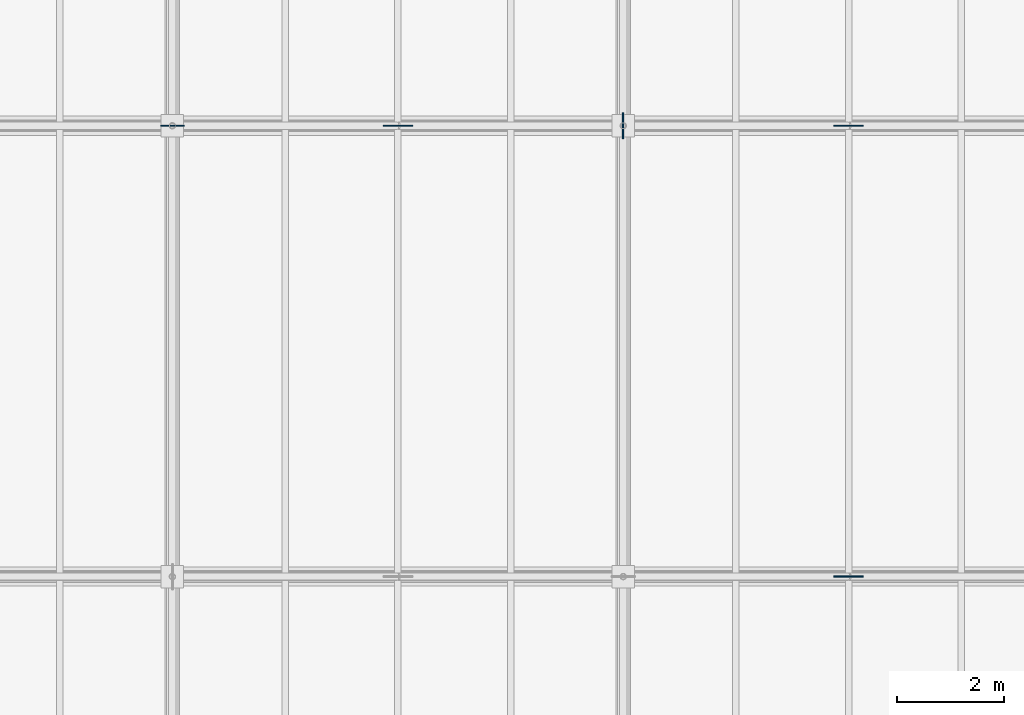
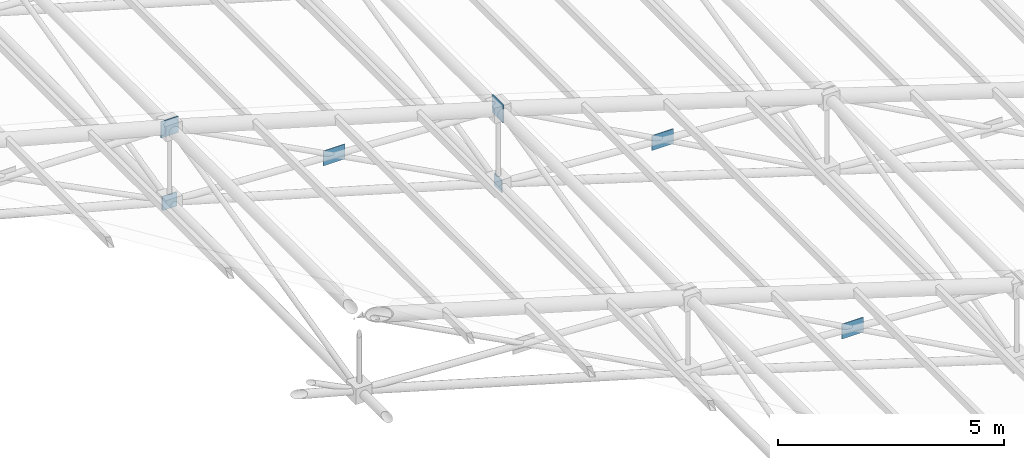
# One storey, part 121 of 144: 7 plates.
"""IFC4 building model written with IfcOpenShell, lengths in metres."""

from ifc_helpers import new_model, si_unit, direction, frame, origin, origin_2d, place, context, subcontext, project, spatial, rectangle, extrude, material, layer, layer_set, type_object, element, save


model = new_model("IFC4")

# Units and contexts
model_context = context("Model", 3, precision=1e-05, world=origin(), true_north=direction((0.0, 1.0)))
body_context = subcontext(model_context, "Body", "Model", "MODEL_VIEW")
ifc_project = project(units=[si_unit("LENGTHUNIT", "METRE"), si_unit("AREAUNIT", "SQUARE_METRE"), si_unit("VOLUMEUNIT", "CUBIC_METRE"), si_unit("PLANEANGLEUNIT", "RADIAN"), si_unit("MASSUNIT", "GRAM", prefix="KILO")], contexts=[model_context])

# Site, building, storey
site_placement = place(None, origin())
site = spatial("IfcSite", under=ifc_project, at=site_placement, CompositionType="ELEMENT")
building_placement = place(site_placement, origin())
building = spatial("IfcBuilding", under=site, at=building_placement, Name="Zayran Congress Hotel", CompositionType="ELEMENT")
storey_placement = place(building_placement, frame((0.0, 0.0, 19.199951171875)))
storey = spatial("IfcBuildingStorey", under=building, at=storey_placement, Name="L04", CompositionType="ELEMENT", Elevation=19.199951171875)

# Plates
ifc_material = material(Name="Steel S355", Category="steel")
ifc_layer_1 = layer(ifc_material, 0.02490234375)
ifc_layer_set_1 = layer_set([ifc_layer_1], Name="Steel S355")
plate_type_1 = type_object("IfcPlateType", Name="TP-SN-CP1", PredefinedType="USERDEFINED", material=ifc_layer_set_1)
plate_1_placement = place(storey_placement, frame((58.800048828125, 84.39990234375, 12.132080078125), z_axis=(0.0, 0.0, 1.0), x_axis=(1.0, 0.0, 0.0)))
element("IfcPlate", 1, at=plate_1_placement, inside=storey, type_object=plate_type_1, Name="Space Frame Node Cap Plate 45", ObjectType="GUSSET_PLATE", PredefinedType="USERDEFINED", context=body_context, shape_type="SweptSolid", body=[
    extrude(rectangle(XDim=0.43994140625, YDim=0.02490234375, at=origin_2d()), origin(), (0.0, 0.0, 1.0), 0.43994140625),
])
ifc_layer_2 = layer(ifc_material, 0.02490234375)
ifc_layer_set_2 = layer_set([ifc_layer_2], Name="Steel S355")
plate_type_2 = type_object("IfcPlateType", Name="TP-SN-CP2", PredefinedType="USERDEFINED", material=ifc_layer_set_2)
plate_2_placement = place(storey_placement, frame((58.800048828125, 84.39990234375, 10.16015625), z_axis=(0.0, 0.0, 1.0), x_axis=(1.0, 0.0, 0.0)))
element("IfcPlate", 2, at=plate_2_placement, inside=storey, type_object=plate_type_2, Name="Space Frame Node Cap Plate 122", ObjectType="GUSSET_PLATE", PredefinedType="USERDEFINED", context=body_context, shape_type="SweptSolid", body=[
    extrude(rectangle(XDim=0.3798828125, YDim=0.02490234375, at=origin_2d()), origin(), (0.0, 0.0, 1.0), 0.3798828125),
])
ifc_layer_3 = layer(ifc_material, 0.02001953125)
ifc_layer_set_3 = layer_set([ifc_layer_3], Name="Steel S355")
plate_type_3 = type_object("IfcPlateType", Name="TP-SN-CP3", PredefinedType="USERDEFINED", material=ifc_layer_set_3)
plate_3_placement = place(storey_placement, frame((67.199951171875, 84.39990234375, 7.72998046875), z_axis=(0.0, 0.0, 1.0), x_axis=(0.0, 1.0, 0.0)))
element("IfcPlate", 3, at=plate_3_placement, inside=storey, type_object=plate_type_3, Name="Space Frame Node Cap Plate 129", ObjectType="GUSSET_PLATE", PredefinedType="USERDEFINED", context=body_context, shape_type="SweptSolid", body=[
    extrude(rectangle(XDim=0.340087890625, YDim=0.02001953125, at=origin_2d()), origin(), (0.0, 0.0, 1.0), 0.340087890625),
])
ifc_layer_4 = layer(ifc_material, 0.028076171875)
ifc_layer_set_4 = layer_set([ifc_layer_4], Name="Steel S355")
plate_type_4 = type_object("IfcPlateType", Name="TP-SN-CP4", PredefinedType="USERDEFINED", material=ifc_layer_set_4)
plate_4_placement = place(storey_placement, frame((67.199951171875, 84.39990234375, 9.662109375), z_axis=(0.0, 0.0, 1.0), x_axis=(0.0, 1.0, 0.0)))
element("IfcPlate", 4, at=plate_4_placement, inside=storey, type_object=plate_type_4, Name="Space Frame Node Cap Plate 52", ObjectType="GUSSET_PLATE", PredefinedType="USERDEFINED", context=body_context, shape_type="SweptSolid", body=[
    extrude(rectangle(XDim=0.47998046875, YDim=0.028076171875, at=origin_2d()), origin(), (0.0, 0.0, 1.0), 0.47998046875),
])
ifc_layer_5 = layer(ifc_material, 0.02490234375)
ifc_layer_set_5 = layer_set([ifc_layer_5], Name="Steel S355")
plate_type_5 = type_object("IfcPlateType", Name="TP-GS-01", PredefinedType="USERDEFINED", material=ifc_layer_set_5)
for number, where, z_axis, x_axis, name in (
    (5, (63.0, 84.39990234375, 9.926025390625), (0.0, 0.0, 1.0), (1.0, 0.0, 0.0), "V1 Brace Crossing Gusset Plate 57"),
    (6, (71.39990234375, 76.0, 7.401123046875), (0.0, 0.0, 1.0), (1.0, 0.0, 0.0), "V1 Brace Crossing Gusset Plate 63"),
    (7, (71.39990234375, 84.39990234375, 7.401123046875), (0.0, 0.0, 1.0), (1.0, 0.0, 0.0), "V1 Brace Crossing Gusset Plate 64"),
):
    element("IfcPlate", number, at=place(storey_placement, frame(where, z_axis=z_axis, x_axis=x_axis)), inside=storey, type_object=plate_type_5, Name=name, ObjectType="GUSSET_PLATE", PredefinedType="USERDEFINED", context=body_context, shape_type="SweptSolid", body=[
        extrude(rectangle(XDim=0.550048828125, YDim=0.02490234375, at=origin_2d()), origin(), (0.0, 0.0, 1.0), 0.39990234375),
    ])

save(model, "model.ifc")
